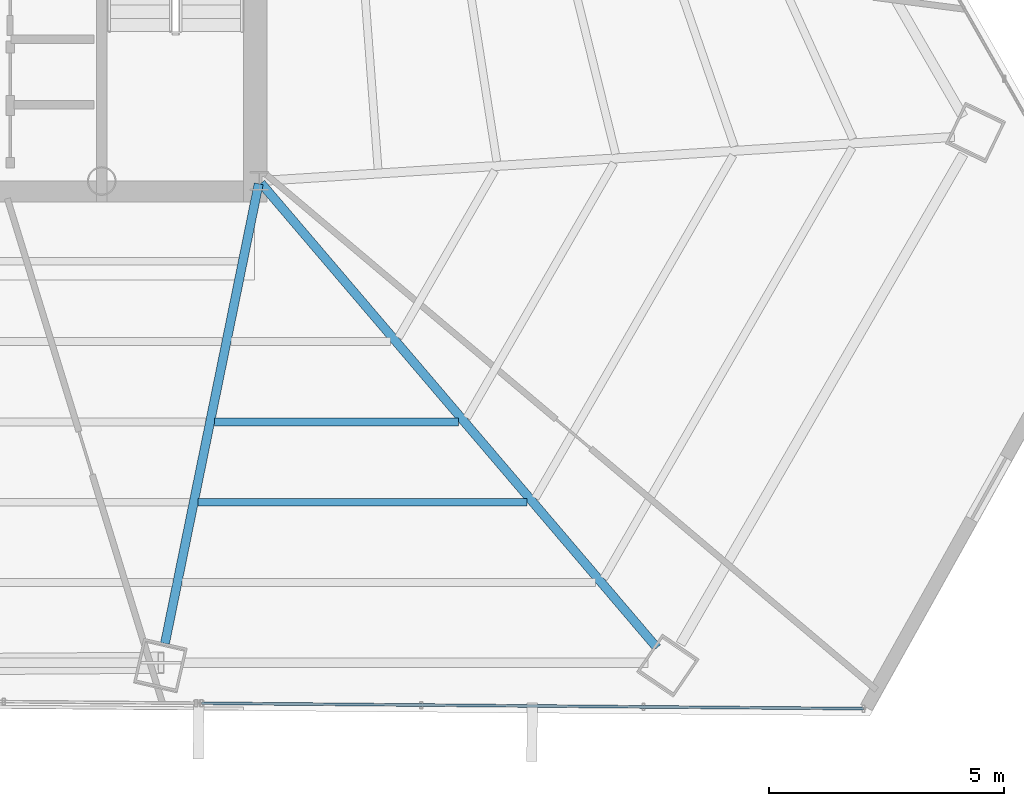
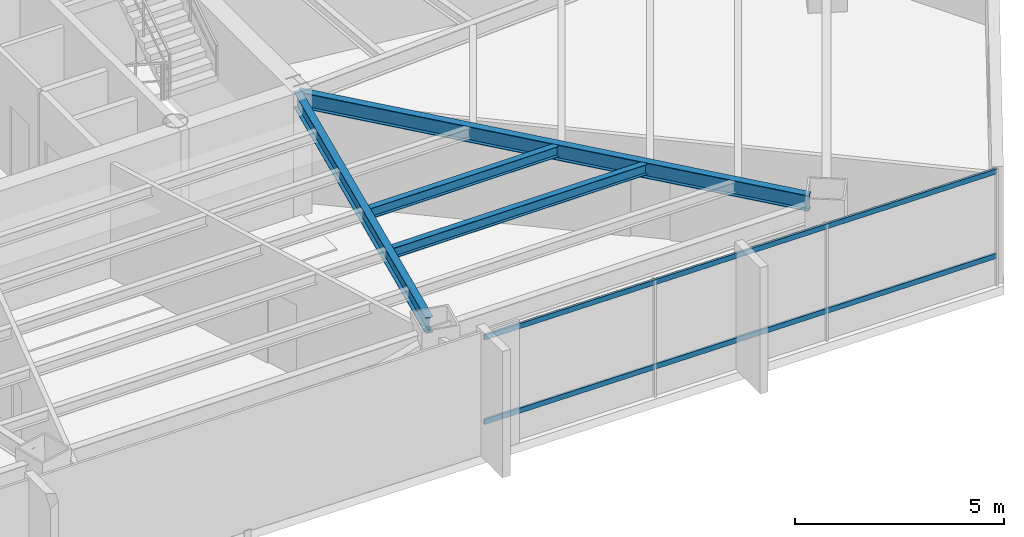
# One storey, part 18 of 39: 4 beams, 2 members, 1 element without a shape of its own.
"""IFC4 building model written with IfcOpenShell, lengths in metres."""

from ifc_helpers import new_model, si_unit, direction, frame, origin, origin_2d, place, context, subcontext, project, spatial, hollow_rectangle, i_section, extrude, source, transform, mapped, material, material_profile, profile_set, type_object, type_shapes, element, aggregate, save


model = new_model("IFC4")

# Units and contexts
model_context = context("Model", 3, precision=1e-05, world=origin(), true_north=direction((0.0, 1.0)))
body_context = subcontext(model_context, "Body", "Model", "MODEL_VIEW")
ifc_project = project(units=[si_unit("LENGTHUNIT", "METRE"), si_unit("AREAUNIT", "SQUARE_METRE"), si_unit("VOLUMEUNIT", "CUBIC_METRE"), si_unit("PLANEANGLEUNIT", "RADIAN"), si_unit("MASSUNIT", "GRAM", prefix="KILO")], contexts=[model_context])

# Site, building, storey
site_placement = place(None, origin())
site = spatial("IfcSite", under=ifc_project, at=site_placement, CompositionType="ELEMENT")
building_placement = place(site_placement, origin())
building = spatial("IfcBuilding", under=site, at=building_placement, Name="Caelisora Broadcast Tower", CompositionType="ELEMENT")
storey_placement = place(building_placement, frame((0.0, 0.0, 142.75)))
storey = spatial("IfcBuildingStorey", under=building, at=storey_placement, Name="L37", CompositionType="ELEMENT", Elevation=142.75)

# Beams
ifc_material_1 = material(Name="Steel Grade 350 (AS/NZS 3679.1)", Category="steel")
ifc_material_profile_1 = material_profile(ifc_material_1, i_section(OverallWidth=0.19091796875, OverallDepth=0.46044921875, WebThickness=0.010009765625, FlangeThickness=0.01611328125, at=origin_2d()), Name="Steel Grade 350 (AS/NZS 3679.1)")
ifc_profile_set_1 = profile_set([ifc_material_profile_1], Name="Steel Grade 350 (AS/NZS 3679.1)")
beam_type_1 = type_object("IfcBeamType", Name="PG06", PredefinedType="BEAM", material=ifc_profile_set_1)
shared_shape_1 = source(origin(), body_context, "Body", "SweptSolid", [
    extrude(i_section(OverallWidth=0.19091796875, OverallDepth=0.46044921875, WebThickness=0.010009765625, FlangeThickness=0.01611328125, at=origin_2d()), origin(), (0.0, 0.0, 1.0), 12.98291015625),
])
beam_1_placement = place(storey_placement, frame((45.538818359375, 17.354248046875, 3.169921875), z_axis=(0.648631512389, -0.76110259567, 0.0), x_axis=(0.76110259567, 0.648631512389, 0.0)))
element("IfcBeam", 1, at=beam_1_placement, inside=storey, type_object=beam_type_1, Name="L37 beam PG06", PredefinedType="BEAM", context=body_context, shape_type="MappedRepresentation", body=[
    mapped(shared_shape_1, transform((0.0, 0.0, 0.0), scale=1.0)),
])
shared_shape_2 = source(origin(), body_context, "Body", "SweptSolid", [
    extrude(i_section(OverallWidth=0.19091796875, OverallDepth=0.46044921875, WebThickness=0.010009765625, FlangeThickness=0.01611328125, at=origin_2d()), origin(), (0.0, 0.0, 1.0), 9.977783203125),
])
type_shapes(beam_type_1, [shared_shape_1, shared_shape_2])
beam_2_placement = place(storey_placement, frame((45.488037109375, 17.34130859375, 3.169921875), z_axis=(-0.199785031387, -0.979839752834, 0.0), x_axis=(0.979839752834, -0.199785031387, 0.0)))
element("IfcBeam", 2, at=beam_2_placement, inside=storey, type_object=beam_type_1, Name="L37 beam PG06", PredefinedType="BEAM", context=body_context, shape_type="MappedRepresentation", body=[
    mapped(shared_shape_2, transform((0.0, 0.0, 0.0), scale=1.0)),
])
ifc_material_profile_2 = material_profile(ifc_material_1, i_section(OverallWidth=0.166015625, OverallDepth=0.30712890625, WebThickness=0.006591796875, FlangeThickness=0.01171875, at=origin_2d()), Name="Steel Grade 350 (AS/NZS 3679.1)")
ifc_profile_set_2 = profile_set([ifc_material_profile_2], Name="Steel Grade 350 (AS/NZS 3679.1)")
beam_type_2 = type_object("IfcBeamType", Name="SB03", PredefinedType="JOIST", material=ifc_profile_set_2)
shared_shape_3 = source(origin(), body_context, "Body", "SweptSolid", [
    extrude(i_section(OverallWidth=0.166015625, OverallDepth=0.30712890625, WebThickness=0.006591796875, FlangeThickness=0.01171875, at=origin_2d()), origin(), (0.0, 0.0, 1.0), 5.19384765625),
])
beam_3_placement = place(storey_placement, frame((44.5498046875, 12.276611328125, 3.246337890625), z_axis=(1.0, 0.0, 0.0), x_axis=(0.0, 1.0, 0.0)))
element("IfcBeam", 3, at=beam_3_placement, inside=storey, type_object=beam_type_2, Name="L37 beam SB03", PredefinedType="JOIST", context=body_context, shape_type="MappedRepresentation", body=[
    mapped(shared_shape_3, transform((0.0, 0.0, 0.0), scale=1.0)),
])
shared_shape_4 = source(origin(), body_context, "Body", "SweptSolid", [
    extrude(i_section(OverallWidth=0.166015625, OverallDepth=0.30712890625, WebThickness=0.006591796875, FlangeThickness=0.01171875, at=origin_2d()), origin(), (0.0, 0.0, 1.0), 6.99755859375),
])
type_shapes(beam_type_2, [shared_shape_3, shared_shape_4])
beam_4_placement = place(storey_placement, frame((44.20166015625, 10.568603515625, 3.246337890625), z_axis=(1.0, 0.0, 0.0), x_axis=(0.0, 1.0, 0.0)))
element("IfcBeam", 4, at=beam_4_placement, inside=storey, type_object=beam_type_2, Name="L37 beam SB03", PredefinedType="JOIST", context=body_context, shape_type="MappedRepresentation", body=[
    mapped(shared_shape_4, transform((0.0, 0.0, 0.0), scale=1.0)),
])

# Curtain wall, members
ifc_material_2 = material(Name="Unitised Aluminium and Low-E Glass Curtain Wall", Category="glass")
curtain_wall_type = type_object("IfcCurtainWallType", Name="CW-Z3", PredefinedType="NOTDEFINED", material=ifc_material_2)
curtain_wall_placement = place(storey_placement, origin())
curtain_wall = element("IfcCurtainWall", 5, at=curtain_wall_placement, inside=storey, type_object=curtain_wall_type, Name="L37 curtain wall CW-Z3", PredefinedType="NOTDEFINED")
ifc_material_3 = material(Name="Aluminium 6063-T6 Anodised Terracotta Bronze", Category="aluminium")
ifc_material_profile_3 = material_profile(ifc_material_3, hollow_rectangle(XDim=0.06005859375, YDim=0.14990234375, WallThickness=0.00341796875, at=origin_2d()), Name="Aluminium 6063-T6 Anodised Terracotta Bronze")
ifc_profile_set_3 = profile_set([ifc_material_profile_3], Name="Aluminium 6063-T6 Anodised Terracotta Bronze")
member_type = type_object("IfcMemberType", Name="CWT-02", PredefinedType="USERDEFINED", material=ifc_profile_set_3)
shared_shape_5 = source(origin(), body_context, "Body", "SweptSolid", [
    extrude(hollow_rectangle(XDim=0.06005859375, YDim=0.14990234375, WallThickness=0.00341796875, at=origin_2d()), origin(), (0.0, 0.0, 1.0), 14.08447265625),
])
type_shapes(member_type, [shared_shape_5])
member_1_placement = place(storey_placement, frame((58.35205078125, 6.176513671875, 0.85009765625), z_axis=(-0.999966387608, 0.008199003282, 0.0), x_axis=(-0.008199003282, -0.999966387608, 0.0)))
member_1 = element("IfcMember", 6, at=member_1_placement, type_object=member_type, Name="L37-CW-B05 transom #1", ObjectType="TRANSOM", PredefinedType="USERDEFINED", context=body_context, shape_type="MappedRepresentation", body=[
    mapped(shared_shape_5, transform((0.0, 0.0, 0.0), scale=1.0)),
])
member_2_placement = place(storey_placement, frame((58.35205078125, 6.176513671875, 3.320068359375), z_axis=(-0.999966387608, 0.008199003282, 0.0), x_axis=(-0.008199003282, -0.999966387608, 0.0)))
member_2 = element("IfcMember", 7, at=member_2_placement, type_object=member_type, Name="L37-CW-B05 transom #2", ObjectType="TRANSOM", PredefinedType="USERDEFINED", context=body_context, shape_type="MappedRepresentation", body=[
    mapped(shared_shape_5, transform((0.0, 0.0, 0.0), scale=1.0)),
])
aggregate(curtain_wall, [member_1, member_2])

save(model, "model.ifc")
